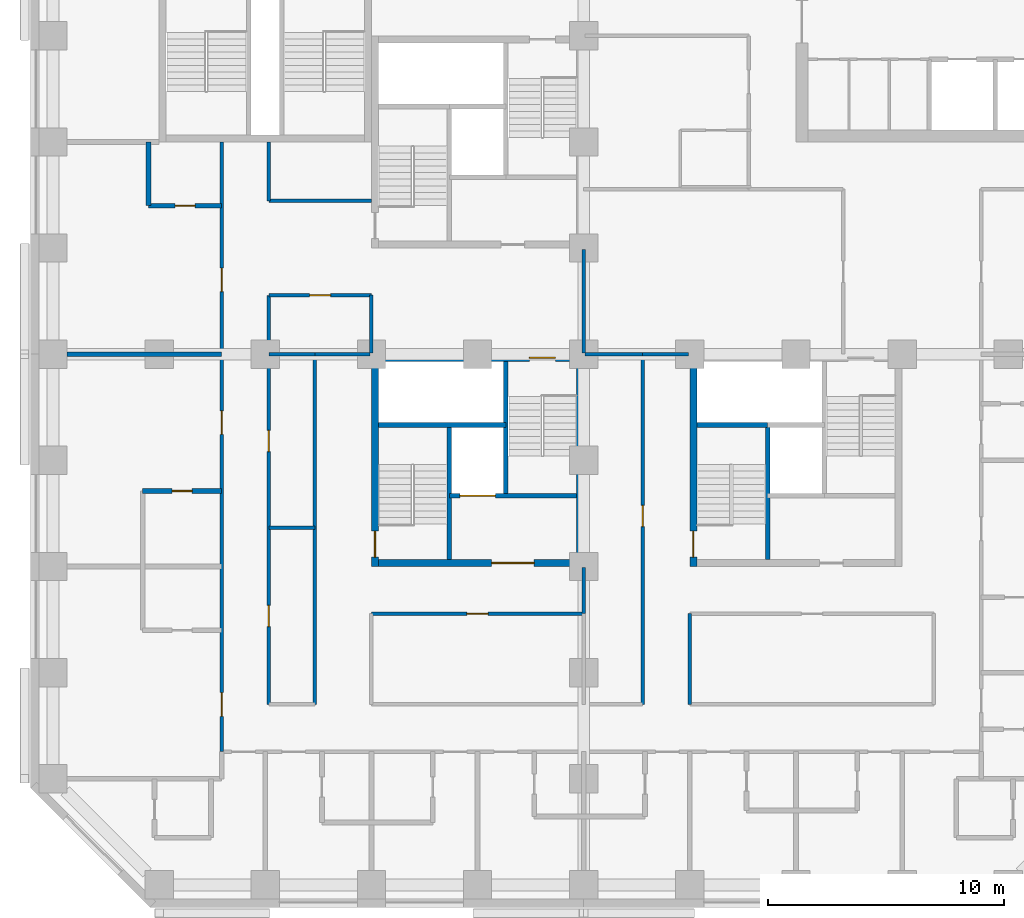
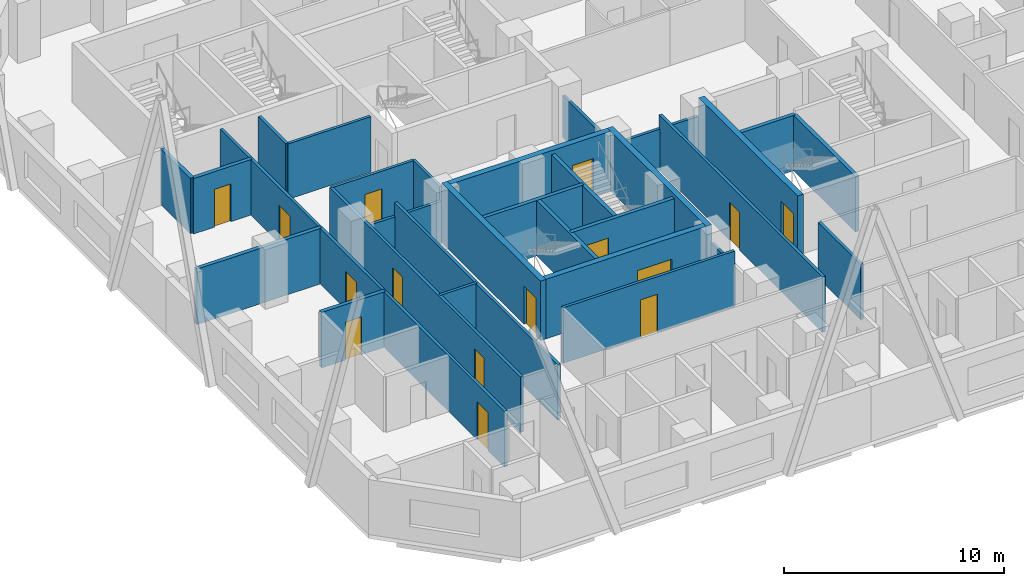
# One storey, part 4 of 13: 32 walls, 15 doors, 15 openings.
"""IFC4 building model written with IfcOpenShell, lengths in metres."""

from ifc_helpers import new_model, si_unit, direction, frame, frame_2d, origin, place, context, subcontext, project, spatial, rectangle, extrude, material, layer, layer_set, type_object, element, fill, save


model = new_model("IFC4")

# Units and contexts
model_context = context("Model", 3, precision=1e-05, world=origin(), true_north=direction((0.0, 1.0)))
body_context = subcontext(model_context, "Body", "Model", "MODEL_VIEW")
ifc_project = project(units=[si_unit("LENGTHUNIT", "METRE"), si_unit("AREAUNIT", "SQUARE_METRE"), si_unit("VOLUMEUNIT", "CUBIC_METRE"), si_unit("PLANEANGLEUNIT", "RADIAN"), si_unit("MASSUNIT", "GRAM", prefix="KILO")], contexts=[model_context])

# Site, building, storey
site_placement = place(None, origin())
site = spatial("IfcSite", under=ifc_project, at=site_placement, CompositionType="ELEMENT")
building_placement = place(site_placement, origin())
building = spatial("IfcBuilding", under=site, at=building_placement, Name="Quoin Convention Tower", CompositionType="ELEMENT")
storey_placement = place(building_placement, frame((0.0, 0.0, 52.800048828125)))
storey = spatial("IfcBuildingStorey", under=building, at=storey_placement, Name="L13", CompositionType="ELEMENT", Elevation=52.800048828125)

# Walls
ifc_material_1 = material(Name="Concrete C50", Category="concrete")
ifc_layer_1 = layer(ifc_material_1, 0.199951171875)
ifc_layer_set_1 = layer_set([ifc_layer_1], Name="Concrete C50")
wall_type_1 = type_object("IfcWallType", Name="Core shaft wall", PredefinedType="SOLIDWALL", material=ifc_layer_set_1)
wall_1_placement = place(storey_placement, frame((40.800048828125, 37.5, 0.0), z_axis=(0.0, 0.0, 1.0), x_axis=(1.0, 0.0, 0.0)))
element("IfcWall", 1, at=wall_1_placement, inside=storey, type_object=wall_type_1, Name="cr-P3-L13-h6000_300", PredefinedType="SOLIDWALL", context=body_context, shape_type="SweptSolid", body=[
    extrude(rectangle(XDim=3.0, YDim=0.199951171875, at=frame_2d((1.5, 0.0))), origin(), (0.0, 0.0, 1.0), 3.079833984375),
])
wall_2_placement = place(storey_placement, frame((43.800048828125, 31.800048828125, 0.0), z_axis=(0.0, 0.0, 1.0), x_axis=(0.0, 1.0, 0.0)))
element("IfcWall", 2, at=wall_2_placement, inside=storey, type_object=wall_type_1, Name="cr-P3-L13-v3300_300", PredefinedType="SOLIDWALL", context=body_context, shape_type="SweptSolid", body=[
    extrude(rectangle(XDim=5.699951171875, YDim=0.199951171875, at=frame_2d((2.85009765625, 0.0))), origin(), (0.0, 0.0, 1.0), 3.079833984375),
])

# Wall, opening, door
wall_3_placement = place(storey_placement, frame((30.300048828125, 34.5, 0.0), z_axis=(0.0, 0.0, 1.0), x_axis=(1.0, 0.0, 0.0)))
wall_3 = element("IfcWall", 3, at=wall_3_placement, inside=storey, type_object=wall_type_1, Name="cr-P4-L13-h3000_3300", PredefinedType="SOLIDWALL", context=body_context, shape_type="SweptSolid", body=[
    extrude(rectangle(XDim=5.39990234375, YDim=0.199951171875, at=frame_2d((2.699951171875, 0.0))), origin(), (0.0, 0.0, 1.0), 3.079833984375),
])
opening_1_placement = place(wall_3_placement, frame((0.449951171875, 0.0, 0.0)))
opening_1 = element("IfcOpeningElement", 4, at=opening_1_placement, cuts=wall_3, Name="Opening LDGL1", PredefinedType="OPENING", context=body_context, shape_type="SweptSolid", body=[
    extrude(rectangle(XDim=1.5, YDim=2.10009765625, at=frame_2d((0.75, 1.050048828125))), frame((0.0, 0.10986328125, 0.0), z_axis=(0.0, -1.0, 0.0), x_axis=(1.0, 0.0, 0.0)), (0.0, 0.0, 1.0), 0.219970703125),
])
ifc_material_2 = material(Name="Steel door leaf", Category="steel")
door_type_1 = type_object("IfcDoorType", Name="Lift landing door 1500 x 2100", OperationType="DOUBLE_DOOR_SLIDING", PredefinedType="DOOR", material=ifc_material_2)
door_1_placement = place(opening_1_placement, origin())
door_1 = element("IfcDoor", 5, at=door_1_placement, inside=storey, type_object=door_type_1, Name="cd-P4-L13-CEN-R2-LDGL1", OperationType="DOUBLE_DOOR_SLIDING", OverallHeight=2.10009765625, OverallWidth=1.5, PredefinedType="DOOR", context=body_context, shape_type="SweptSolid", body=[
    extrude(rectangle(XDim=1.5, YDim=2.10009765625, at=frame_2d((0.75, 1.050048828125))), frame((0.0, 0.02490234375, 0.0), z_axis=(0.0, -1.0, 0.0), x_axis=(1.0, 0.0, 0.0)), (0.0, 0.0, 1.0), 0.050048828125),
])
fill(opening_1, door_1)

# Walls
wall_4_placement = place(storey_placement, frame((27.300048828125, 37.5, 0.0), z_axis=(0.0, 0.0, 1.0), x_axis=(1.0, 0.0, 0.0)))
element("IfcWall", 6, at=wall_4_placement, inside=storey, type_object=wall_type_1, Name="cr-P4-L13-h6000_300", PredefinedType="SOLIDWALL", context=body_context, shape_type="SweptSolid", body=[
    extrude(rectangle(XDim=5.39990234375, YDim=0.199951171875, at=frame_2d((2.699951171875, 0.0))), origin(), (0.0, 0.0, 1.0), 3.079833984375),
])
for number, where, z_axis, x_axis, name in (
    (7, (30.300048828125, 31.800048828125, 0.0), (0.0, 0.0, 1.0), (0.0, 1.0, 0.0), "cr-P4-L13-v3300_300"),
    (8, (32.699951171875, 34.5, 0.0), (0.0, 0.0, 1.0), (0.0, 1.0, 0.0), "cr-P4-L13-v5700_3000"),
):
    element("IfcWall", number, at=place(storey_placement, frame(where, z_axis=z_axis, x_axis=x_axis)), inside=storey, type_object=wall_type_1, Name=name, PredefinedType="SOLIDWALL", context=body_context, shape_type="SweptSolid", body=[
        extrude(rectangle(XDim=5.699951171875, YDim=0.199951171875, at=frame_2d((2.85009765625, 0.0))), origin(), (0.0, 0.0, 1.0), 3.079833984375),
    ])

# Wall, opening, door
ifc_material_3 = material(Name="Concrete C80", Category="concrete")
ifc_layer_2 = layer(ifc_material_3, 0.300048828125)
ifc_layer_set_2 = layer_set([ifc_layer_2], Name="Concrete C80")
wall_type_2 = type_object("IfcWallType", Name="RC CORE WALL 300 C80", PredefinedType="SHEAR", material=ifc_layer_set_2)
wall_5_placement = place(storey_placement, frame((40.64990234375, 31.5, 0.0), z_axis=(0.0, 0.0, 1.0), x_axis=(0.0, 1.0, 0.0)))
wall_5 = element("IfcWall", 9, at=wall_5_placement, inside=storey, type_object=wall_type_2, Name="cwl-P3-L13-W", PredefinedType="SHEAR", context=body_context, shape_type="SweptSolid", body=[
    extrude(rectangle(XDim=9.0, YDim=0.300048828125, at=frame_2d((4.5, 0.0))), origin(), (0.0, 0.0, 1.0), 3.300048828125),
])
opening_2_placement = place(wall_5_placement, frame((0.39990234375, 0.0, 0.0)))
opening_2 = element("IfcOpeningElement", 10, at=opening_2_placement, cuts=wall_5, Name="Opening SD5", PredefinedType="OPENING", context=body_context, shape_type="SweptSolid", body=[
    extrude(rectangle(XDim=1.10009765625, YDim=2.10009765625, at=frame_2d((0.550048828125, 1.050048828125))), frame((0.0, 0.159912109375, 0.0), z_axis=(0.0, -1.0, 0.0), x_axis=(1.0, 0.0, 0.0)), (0.0, 0.0, 1.0), 0.320068359375),
])
door_type_2 = type_object("IfcDoorType", Name="Stair door 1100 x 2100", OperationType="SINGLE_SWING_RIGHT", PredefinedType="DOOR", material=ifc_material_2)
door_2_placement = place(opening_2_placement, frame((1.10009765625, 0.0, 0.0), z_axis=(0.0, 0.0, 1.0), x_axis=(-1.0, 0.0, 0.0)))
door_2 = element("IfcDoor", 11, at=door_2_placement, inside=storey, type_object=door_type_2, Name="cd-P3-L13-SA-W", OperationType="SINGLE_SWING_RIGHT", OverallHeight=2.10009765625, OverallWidth=1.10009765625, PredefinedType="DOOR", context=body_context, shape_type="SweptSolid", body=[
    extrude(rectangle(XDim=1.10009765625, YDim=2.10009765625, at=frame_2d((0.550048828125, 1.050048828125))), frame((0.0, 0.02490234375, 0.0), z_axis=(0.0, -1.0, 0.0), x_axis=(1.0, 0.0, 0.0)), (0.0, 0.0, 1.0), 0.050048828125),
])
fill(opening_2, door_2)

wall_6_placement = place(storey_placement, frame((27.300048828125, 31.64990234375, 0.0), z_axis=(0.0, 0.0, 1.0), x_axis=(1.0, 0.0, 0.0)))
wall_6 = element("IfcWall", 12, at=wall_6_placement, inside=storey, type_object=wall_type_2, Name="cwl-P4-L13-S", PredefinedType="SHEAR", context=body_context, shape_type="SweptSolid", body=[
    extrude(rectangle(XDim=8.39990234375, YDim=0.300048828125, at=frame_2d((4.199951171875, 0.0))), origin(), (0.0, 0.0, 1.0), 3.300048828125),
])
opening_3_placement = place(wall_6_placement, frame((4.800048828125, 0.0, 0.0)))
opening_3 = element("IfcOpeningElement", 13, at=opening_3_placement, cuts=wall_6, Name="Opening DCV5-53", PredefinedType="OPENING", context=body_context, shape_type="SweptSolid", body=[
    extrude(rectangle(XDim=1.800048828125, YDim=2.10009765625, at=frame_2d((0.89990234375, 1.050048828125))), frame((0.0, 0.159912109375, 0.0), z_axis=(0.0, -1.0, 0.0), x_axis=(1.0, 0.0, 0.0)), (0.0, 0.0, 1.0), 0.320068359375),
])
door_type_3 = type_object("IfcDoorType", Name="Goods lobby door 1800 x 2100", OperationType="SINGLE_SWING_LEFT", PredefinedType="DOOR", material=ifc_material_2)
door_3_placement = place(opening_3_placement, origin())
door_3 = element("IfcDoor", 14, at=door_3_placement, inside=storey, type_object=door_type_3, Name="cd-P4-L13-R2-S", OperationType="SINGLE_SWING_LEFT", OverallHeight=2.10009765625, OverallWidth=1.800048828125, PredefinedType="DOOR", context=body_context, shape_type="SweptSolid", body=[
    extrude(rectangle(XDim=1.800048828125, YDim=2.10009765625, at=frame_2d((0.89990234375, 1.050048828125))), frame((0.0, 0.02490234375, 0.0), z_axis=(0.0, -1.0, 0.0), x_axis=(1.0, 0.0, 0.0)), (0.0, 0.0, 1.0), 0.050048828125),
])
fill(opening_3, door_3)

wall_7_placement = place(storey_placement, frame((27.300048828125, 40.35009765625, 0.0), z_axis=(0.0, 0.0, 1.0), x_axis=(1.0, 0.0, 0.0)))
wall_7 = element("IfcWall", 15, at=wall_7_placement, inside=storey, type_object=wall_type_2, Name="cwl-P4-L13-N", PredefinedType="SHEAR", context=body_context, shape_type="SweptSolid", body=[
    extrude(rectangle(XDim=8.39990234375, YDim=0.300048828125, at=frame_2d((4.199951171875, 0.0))), origin(), (0.0, 0.0, 1.0), 3.300048828125),
])
opening_4_placement = place(wall_7_placement, frame((6.39990234375, 0.0, 0.0)))
opening_4 = element("IfcOpeningElement", 16, at=opening_4_placement, cuts=wall_7, Name="Opening SD8", PredefinedType="OPENING", context=body_context, shape_type="SweptSolid", body=[
    extrude(rectangle(XDim=1.10009765625, YDim=2.10009765625, at=frame_2d((0.550048828125, 1.050048828125))), frame((0.0, 0.159912109375, 0.0), z_axis=(0.0, -1.0, 0.0), x_axis=(1.0, 0.0, 0.0)), (0.0, 0.0, 1.0), 0.320068359375),
])
door_4_placement = place(opening_4_placement, frame((1.10009765625, 0.0, 0.0), z_axis=(0.0, 0.0, 1.0), x_axis=(-1.0, 0.0, 0.0)))
door_4 = element("IfcDoor", 17, at=door_4_placement, inside=storey, type_object=door_type_2, Name="cd-P4-L13-SB-N", OperationType="SINGLE_SWING_LEFT", OverallHeight=2.10009765625, OverallWidth=1.10009765625, PredefinedType="DOOR", context=body_context, shape_type="SweptSolid", body=[
    extrude(rectangle(XDim=1.10009765625, YDim=2.10009765625, at=frame_2d((0.550048828125, 1.050048828125))), frame((0.0, 0.02490234375, 0.0), z_axis=(0.0, -1.0, 0.0), x_axis=(1.0, 0.0, 0.0)), (0.0, 0.0, 1.0), 0.050048828125),
])
fill(opening_4, door_4)

wall_8_placement = place(storey_placement, frame((27.14990234375, 31.5, 0.0), z_axis=(0.0, 0.0, 1.0), x_axis=(0.0, 1.0, 0.0)))
wall_8 = element("IfcWall", 18, at=wall_8_placement, inside=storey, type_object=wall_type_2, Name="cwl-P4-L13-W", PredefinedType="SHEAR", context=body_context, shape_type="SweptSolid", body=[
    extrude(rectangle(XDim=9.0, YDim=0.300048828125, at=frame_2d((4.5, 0.0))), origin(), (0.0, 0.0, 1.0), 3.300048828125),
])
opening_5_placement = place(wall_8_placement, frame((0.39990234375, 0.0, 0.0)))
opening_5 = element("IfcOpeningElement", 19, at=opening_5_placement, cuts=wall_8, Name="Opening SD7", PredefinedType="OPENING", context=body_context, shape_type="SweptSolid", body=[
    extrude(rectangle(XDim=1.10009765625, YDim=2.10009765625, at=frame_2d((0.550048828125, 1.050048828125))), frame((0.0, 0.159912109375, 0.0), z_axis=(0.0, -1.0, 0.0), x_axis=(1.0, 0.0, 0.0)), (0.0, 0.0, 1.0), 0.320068359375),
])
door_5_placement = place(opening_5_placement, frame((1.10009765625, 0.0, 0.0), z_axis=(0.0, 0.0, 1.0), x_axis=(-1.0, 0.0, 0.0)))
door_5 = element("IfcDoor", 20, at=door_5_placement, inside=storey, type_object=door_type_2, Name="cd-P4-L13-SA-W", OperationType="SINGLE_SWING_RIGHT", OverallHeight=2.10009765625, OverallWidth=1.10009765625, PredefinedType="DOOR", context=body_context, shape_type="SweptSolid", body=[
    extrude(rectangle(XDim=1.10009765625, YDim=2.10009765625, at=frame_2d((0.550048828125, 1.050048828125))), frame((0.0, 0.02490234375, 0.0), z_axis=(0.0, -1.0, 0.0), x_axis=(1.0, 0.0, 0.0)), (0.0, 0.0, 1.0), 0.050048828125),
])
fill(opening_5, door_5)

# Wall
wall_9_placement = place(storey_placement, frame((35.85009765625, 31.5, 0.0), z_axis=(0.0, 0.0, 1.0), x_axis=(0.0, 1.0, 0.0)))
element("IfcWall", 21, at=wall_9_placement, inside=storey, type_object=wall_type_2, Name="cwl-P4-L13-E", PredefinedType="SHEAR", context=body_context, shape_type="SweptSolid", body=[
    extrude(rectangle(XDim=9.0, YDim=0.300048828125, at=frame_2d((4.5, 0.0))), origin(), (0.0, 0.0, 1.0), 3.300048828125),
])

# Wall, opening, door
ifc_layer_3 = layer(ifc_material_1, 0.199951171875)
ifc_layer_set_3 = layer_set([ifc_layer_3], Name="Concrete C50")
wall_type_3 = type_object("IfcWallType", Name="RC party wall", PredefinedType="SOLIDWALL", material=ifc_layer_set_3)
wall_10_placement = place(storey_placement, frame((17.300048828125, 34.699951171875, 0.0), z_axis=(0.0, 0.0, 1.0), x_axis=(1.0, 0.0, 0.0)))
wall_10 = element("IfcWall", 22, at=wall_10_placement, inside=storey, type_object=wall_type_3, Name="pw-L13-071", PredefinedType="SOLIDWALL", context=body_context, shape_type="SweptSolid", body=[
    extrude(rectangle(XDim=3.349853515625, YDim=0.199951171875, at=frame_2d((1.6748046875, 0.0))), origin(), (0.0, 0.0, 1.0), 3.079833984375),
])
opening_6_placement = place(wall_10_placement, frame((1.25, 0.0, 0.0)))
opening_6 = element("IfcOpeningElement", 23, at=opening_6_placement, cuts=wall_10, Name="Opening DHOTEL-B-53", PredefinedType="OPENING", context=body_context, shape_type="SweptSolid", body=[
    extrude(rectangle(XDim=0.85009765625, YDim=2.10009765625, at=frame_2d((0.425048828125, 1.050048828125))), frame((0.0, 0.10986328125, 0.0), z_axis=(0.0, -1.0, 0.0), x_axis=(1.0, 0.0, 0.0)), (0.0, 0.0, 1.0), 0.219970703125),
])
door_type_4 = type_object("IfcDoorType", Name="Bathroom door", OperationType="SINGLE_SWING_LEFT", PredefinedType="DOOR", material=ifc_material_2)
door_6_placement = place(opening_6_placement, origin())
door_6 = element("IfcDoor", 24, at=door_6_placement, inside=storey, type_object=door_type_4, Name="dr-L13-016", OperationType="SINGLE_SWING_RIGHT", OverallHeight=2.10009765625, OverallWidth=0.85009765625, PredefinedType="DOOR", context=body_context, shape_type="SweptSolid", body=[
    extrude(rectangle(XDim=0.85009765625, YDim=2.10009765625, at=frame_2d((0.425048828125, 1.050048828125))), frame((0.0, 0.02490234375, 0.0), z_axis=(0.0, -1.0, 0.0), x_axis=(1.0, 0.0, 0.0)), (0.0, 0.0, 1.0), 0.050048828125),
])
fill(opening_6, door_6)

# Wall
wall_11_placement = place(storey_placement, frame((14.10009765625, 40.5, 0.0), z_axis=(0.0, 0.0, 1.0), x_axis=(1.0, 0.0, 0.0)))
element("IfcWall", 25, at=wall_11_placement, inside=storey, type_object=wall_type_3, Name="pw-L13-075", PredefinedType="SOLIDWALL", context=body_context, shape_type="SweptSolid", body=[
    extrude(rectangle(XDim=6.5498046875, YDim=0.199951171875, at=frame_2d((3.27490234375, 0.0))), origin(), (0.0, 0.0, 1.0), 3.079833984375),
])

# Wall, opening, door
wall_12_placement = place(storey_placement, frame((17.550048828125, 46.800048828125, 0.0), z_axis=(0.0, 0.0, 1.0), x_axis=(1.0, 0.0, 0.0)))
wall_12 = element("IfcWall", 26, at=wall_12_placement, inside=storey, type_object=wall_type_3, Name="pw-L13-085", PredefinedType="SOLIDWALL", context=body_context, shape_type="SweptSolid", body=[
    extrude(rectangle(XDim=3.099853515625, YDim=0.199951171875, at=frame_2d((1.5498046875, 0.0))), origin(), (0.0, 0.0, 1.0), 3.079833984375),
])
opening_7_placement = place(wall_12_placement, frame((1.125, 0.0, 0.0)))
opening_7 = element("IfcOpeningElement", 27, at=opening_7_placement, cuts=wall_12, Name="Opening DHOTEL-B-57", PredefinedType="OPENING", context=body_context, shape_type="SweptSolid", body=[
    extrude(rectangle(XDim=0.85009765625, YDim=2.10009765625, at=frame_2d((0.425048828125, 1.050048828125))), frame((0.0, 0.10986328125, 0.0), z_axis=(0.0, -1.0, 0.0), x_axis=(1.0, 0.0, 0.0)), (0.0, 0.0, 1.0), 0.219970703125),
])
door_7_placement = place(opening_7_placement, frame((0.85009765625, 0.0, 0.0), z_axis=(0.0, 0.0, 1.0), x_axis=(-1.0, 0.0, 0.0)))
door_7 = element("IfcDoor", 28, at=door_7_placement, inside=storey, type_object=door_type_4, Name="dr-L13-018", OperationType="SINGLE_SWING_LEFT", OverallHeight=2.10009765625, OverallWidth=0.85009765625, PredefinedType="DOOR", context=body_context, shape_type="SweptSolid", body=[
    extrude(rectangle(XDim=0.85009765625, YDim=2.10009765625, at=frame_2d((0.425048828125, 1.050048828125))), frame((0.0, 0.02490234375, 0.0), z_axis=(0.0, -1.0, 0.0), x_axis=(1.0, 0.0, 0.0)), (0.0, 0.0, 1.0), 0.050048828125),
])
fill(opening_7, door_7)

# Wall
wall_13_placement = place(storey_placement, frame((17.550048828125, 46.800048828125, 0.0), z_axis=(0.0, 0.0, 1.0), x_axis=(0.0, 1.0, 0.0)))
element("IfcWall", 29, at=wall_13_placement, inside=storey, type_object=wall_type_3, Name="pw-L13-086", PredefinedType="SOLIDWALL", context=body_context, shape_type="SweptSolid", body=[
    extrude(rectangle(XDim=2.699951171875, YDim=0.199951171875, at=frame_2d((1.35009765625, 0.0))), origin(), (0.0, 0.0, 1.0), 3.079833984375),
])

# Wall, openings, doors
ifc_material_4 = material(Name="Plasterboard")
ifc_layer_4 = layer(ifc_material_4, 0.012451171875, Name="Finish")
ifc_material_5 = material(Name="Steel stud framing", Category="steel")
ifc_layer_5 = layer(ifc_material_5, 0.125, Name="Structure")
ifc_layer_6 = layer(ifc_material_4, 0.012451171875, Name="Finish")
ifc_layer_set_4 = layer_set([ifc_layer_4, ifc_layer_5, ifc_layer_6], Name="Steel stud framing")
wall_type_4 = type_object("IfcWallType", Name="corridor partition", PredefinedType="PARTITIONING", material=ifc_layer_set_4)
wall_14_placement = place(storey_placement, frame((20.64990234375, 23.64990234375, 0.0), z_axis=(0.0, 0.0, 1.0), x_axis=(0.0, 1.0, 0.0)))
wall_14 = element("IfcWall", 30, at=wall_14_placement, inside=storey, type_object=wall_type_4, Name="pw-L13-006", PredefinedType="PARTITIONING", context=body_context, shape_type="SweptSolid", body=[
    extrude(rectangle(XDim=25.85009765625, YDim=0.14990234375, at=frame_2d((12.925048828125, 0.0))), origin(), (0.0, 0.0, 1.0), 3.079833984375),
])
opening_8_placement = place(wall_14_placement, frame((1.5, 0.0, 0.0)))
opening_8 = element("IfcOpeningElement", 31, at=opening_8_placement, cuts=wall_14, Name="Opening DHOTEL-B-09", PredefinedType="OPENING", context=body_context, shape_type="SweptSolid", body=[
    extrude(rectangle(XDim=1.0, YDim=2.10009765625, at=frame_2d((0.5, 1.050048828125))), frame((0.0, 0.0849609375, 0.0), z_axis=(0.0, -1.0, 0.0), x_axis=(1.0, 0.0, 0.0)), (0.0, 0.0, 1.0), 0.169921875),
])
opening_9_placement = place(wall_14_placement, frame((13.449951171875, 0.0, 0.0)))
opening_9 = element("IfcOpeningElement", 32, at=opening_9_placement, cuts=wall_14, Name="Opening DHOTEL-B-10", PredefinedType="OPENING", context=body_context, shape_type="SweptSolid", body=[
    extrude(rectangle(XDim=1.0, YDim=2.10009765625, at=frame_2d((0.5, 1.050048828125))), frame((0.0, 0.0849609375, 0.0), z_axis=(0.0, -1.0, 0.0), x_axis=(1.0, 0.0, 0.0)), (0.0, 0.0, 1.0), 0.169921875),
])
opening_10_placement = place(wall_14_placement, frame((19.5, 0.0, 0.0)))
opening_10 = element("IfcOpeningElement", 33, at=opening_10_placement, cuts=wall_14, Name="Opening DHOTEL-B-11", PredefinedType="OPENING", context=body_context, shape_type="SweptSolid", body=[
    extrude(rectangle(XDim=1.0, YDim=2.10009765625, at=frame_2d((0.5, 1.050048828125))), frame((0.0, 0.0849609375, 0.0), z_axis=(0.0, -1.0, 0.0), x_axis=(1.0, 0.0, 0.0)), (0.0, 0.0, 1.0), 0.169921875),
])
door_type_5 = type_object("IfcDoorType", Name="Hotel room door", OperationType="SINGLE_SWING_LEFT", PredefinedType="DOOR", material=ifc_material_2)
door_8_placement = place(opening_8_placement, origin())
door_8 = element("IfcDoor", 34, at=door_8_placement, inside=storey, type_object=door_type_5, Name="dr-L13-013", OperationType="SINGLE_SWING_LEFT", OverallHeight=2.10009765625, OverallWidth=1.0, PredefinedType="DOOR", context=body_context, shape_type="SweptSolid", body=[
    extrude(rectangle(XDim=1.0, YDim=2.10009765625, at=frame_2d((0.5, 1.050048828125))), frame((0.0, 0.02490234375, 0.0), z_axis=(0.0, -1.0, 0.0), x_axis=(1.0, 0.0, 0.0)), (0.0, 0.0, 1.0), 0.050048828125),
])
fill(opening_8, door_8)
door_9_placement = place(opening_9_placement, origin())
door_9 = element("IfcDoor", 35, at=door_9_placement, inside=storey, type_object=door_type_5, Name="dr-L13-015", OperationType="SINGLE_SWING_RIGHT", OverallHeight=2.10009765625, OverallWidth=1.0, PredefinedType="DOOR", context=body_context, shape_type="SweptSolid", body=[
    extrude(rectangle(XDim=1.0, YDim=2.10009765625, at=frame_2d((0.5, 1.050048828125))), frame((0.0, 0.02490234375, 0.0), z_axis=(0.0, -1.0, 0.0), x_axis=(1.0, 0.0, 0.0)), (0.0, 0.0, 1.0), 0.050048828125),
])
fill(opening_9, door_9)
door_10_placement = place(opening_10_placement, origin())
door_10 = element("IfcDoor", 36, at=door_10_placement, inside=storey, type_object=door_type_5, Name="dr-L13-017", OperationType="SINGLE_SWING_RIGHT", OverallHeight=2.10009765625, OverallWidth=1.0, PredefinedType="DOOR", context=body_context, shape_type="SweptSolid", body=[
    extrude(rectangle(XDim=1.0, YDim=2.10009765625, at=frame_2d((0.5, 1.050048828125))), frame((0.0, 0.02490234375, 0.0), z_axis=(0.0, -1.0, 0.0), x_axis=(1.0, 0.0, 0.0)), (0.0, 0.0, 1.0), 0.050048828125),
])
fill(opening_10, door_10)

wall_15_placement = place(storey_placement, frame((22.64990234375, 25.64990234375, 0.0), z_axis=(0.0, 0.0, 1.0), x_axis=(0.0, 1.0, 0.0)))
wall_15 = element("IfcWall", 37, at=wall_15_placement, inside=storey, type_object=wall_type_4, Name="pw-L13-009", PredefinedType="PARTITIONING", context=body_context, shape_type="SweptSolid", body=[
    extrude(rectangle(XDim=17.35009765625, YDim=0.14990234375, at=frame_2d((8.675048828125, 0.0))), origin(), (0.0, 0.0, 1.0), 3.079833984375),
])
opening_11_placement = place(wall_15_placement, frame((3.300048828125, 0.0, 0.0)))
opening_11 = element("IfcOpeningElement", 38, at=opening_11_placement, cuts=wall_15, Name="Opening DHOTEL-B-16", PredefinedType="OPENING", context=body_context, shape_type="SweptSolid", body=[
    extrude(rectangle(XDim=0.89990234375, YDim=2.10009765625, at=frame_2d((0.449951171875, 1.050048828125))), frame((0.0, 0.0849609375, 0.0), z_axis=(0.0, -1.0, 0.0), x_axis=(1.0, 0.0, 0.0)), (0.0, 0.0, 1.0), 0.169921875),
])
opening_12_placement = place(wall_15_placement, frame((10.72509765625, 0.0, 0.0)))
opening_12 = element("IfcOpeningElement", 39, at=opening_12_placement, cuts=wall_15, Name="Opening DHOTEL-B-17", PredefinedType="OPENING", context=body_context, shape_type="SweptSolid", body=[
    extrude(rectangle(XDim=0.89990234375, YDim=2.10009765625, at=frame_2d((0.449951171875, 1.050048828125))), frame((0.0, 0.0849609375, 0.0), z_axis=(0.0, -1.0, 0.0), x_axis=(1.0, 0.0, 0.0)), (0.0, 0.0, 1.0), 0.169921875),
])
door_type_6 = type_object("IfcDoorType", Name="Service room door", OperationType="SINGLE_SWING_LEFT", PredefinedType="DOOR", material=ifc_material_2)
door_11_placement = place(opening_11_placement, frame((0.89990234375, 0.0, 0.0), z_axis=(0.0, 0.0, 1.0), x_axis=(-1.0, 0.0, 0.0)))
door_11 = element("IfcDoor", 40, at=door_11_placement, inside=storey, type_object=door_type_6, Name="dr-L13-069", OperationType="SINGLE_SWING_LEFT", OverallHeight=2.10009765625, OverallWidth=0.89990234375, PredefinedType="DOOR", context=body_context, shape_type="SweptSolid", body=[
    extrude(rectangle(XDim=0.89990234375, YDim=2.10009765625, at=frame_2d((0.449951171875, 1.050048828125))), frame((0.0, 0.02490234375, 0.0), z_axis=(0.0, -1.0, 0.0), x_axis=(1.0, 0.0, 0.0)), (0.0, 0.0, 1.0), 0.050048828125),
])
fill(opening_11, door_11)
door_12_placement = place(opening_12_placement, frame((0.89990234375, 0.0, 0.0), z_axis=(0.0, 0.0, 1.0), x_axis=(-1.0, 0.0, 0.0)))
door_12 = element("IfcDoor", 41, at=door_12_placement, inside=storey, type_object=door_type_6, Name="dr-L13-070", OperationType="SINGLE_SWING_LEFT", OverallHeight=2.10009765625, OverallWidth=0.89990234375, PredefinedType="DOOR", context=body_context, shape_type="SweptSolid", body=[
    extrude(rectangle(XDim=0.89990234375, YDim=2.10009765625, at=frame_2d((0.449951171875, 1.050048828125))), frame((0.0, 0.02490234375, 0.0), z_axis=(0.0, -1.0, 0.0), x_axis=(1.0, 0.0, 0.0)), (0.0, 0.0, 1.0), 0.050048828125),
])
fill(opening_12, door_12)

# Wall
wall_16_placement = place(storey_placement, frame((24.60009765625, 25.64990234375, 0.0), z_axis=(0.0, 0.0, 1.0), x_axis=(0.0, 1.0, 0.0)))
element("IfcWall", 42, at=wall_16_placement, inside=storey, type_object=wall_type_4, Name="pw-L13-010", PredefinedType="PARTITIONING", context=body_context, shape_type="SweptSolid", body=[
    extrude(rectangle(XDim=14.85009765625, YDim=0.14990234375, at=frame_2d((7.425048828125, 0.0))), origin(), (0.0, 0.0, 1.0), 3.079833984375),
])

# Wall, opening, door
wall_17_placement = place(storey_placement, frame((38.5, 25.64990234375, 0.0), z_axis=(0.0, 0.0, 1.0), x_axis=(0.0, 1.0, 0.0)))
wall_17 = element("IfcWall", 43, at=wall_17_placement, inside=storey, type_object=wall_type_4, Name="pw-L13-013", PredefinedType="PARTITIONING", context=body_context, shape_type="SweptSolid", body=[
    extrude(rectangle(XDim=14.85009765625, YDim=0.14990234375, at=frame_2d((7.425048828125, 0.0))), origin(), (0.0, 0.0, 1.0), 3.079833984375),
])
opening_13_placement = place(wall_17_placement, frame((7.5400390625, 0.0, 0.0)))
opening_13 = element("IfcOpeningElement", 44, at=opening_13_placement, cuts=wall_17, Name="Opening DHOTEL-B-18", PredefinedType="OPENING", context=body_context, shape_type="SweptSolid", body=[
    extrude(rectangle(XDim=0.89990234375, YDim=2.10009765625, at=frame_2d((0.449951171875, 1.050048828125))), frame((0.0, 0.0849609375, 0.0), z_axis=(0.0, -1.0, 0.0), x_axis=(1.0, 0.0, 0.0)), (0.0, 0.0, 1.0), 0.169921875),
])
door_type_7 = type_object("IfcDoorType", Name="Single room door", OperationType="SINGLE_SWING_RIGHT", PredefinedType="DOOR", material=ifc_material_2)
door_13_placement = place(opening_13_placement, origin())
door_13 = element("IfcDoor", 45, at=door_13_placement, inside=storey, type_object=door_type_7, Name="dr-L13-w03", OperationType="SINGLE_SWING_RIGHT", OverallHeight=2.10009765625, OverallWidth=0.89990234375, PredefinedType="DOOR", context=body_context, shape_type="SweptSolid", body=[
    extrude(rectangle(XDim=0.89990234375, YDim=2.10009765625, at=frame_2d((0.449951171875, 1.050048828125))), frame((0.0, 0.02490234375, 0.0), z_axis=(0.0, -1.0, 0.0), x_axis=(1.0, 0.0, 0.0)), (0.0, 0.0, 1.0), 0.050048828125),
])
fill(opening_13, door_13)

# Wall
wall_18_placement = place(storey_placement, frame((40.5, 25.64990234375, 0.0), z_axis=(0.0, 0.0, 1.0), x_axis=(0.0, 1.0, 0.0)))
element("IfcWall", 46, at=wall_18_placement, inside=storey, type_object=wall_type_4, Name="pw-L13-015", PredefinedType="PARTITIONING", context=body_context, shape_type="SweptSolid", body=[
    extrude(rectangle(XDim=3.85009765625, YDim=0.14990234375, at=frame_2d((1.925048828125, 0.0))), origin(), (0.0, 0.0, 1.0), 3.079833984375),
])

# Wall, opening, door
wall_19_placement = place(storey_placement, frame((27.0, 29.5, 0.0), z_axis=(0.0, 0.0, 1.0), x_axis=(1.0, 0.0, 0.0)))
wall_19 = element("IfcWall", 47, at=wall_19_placement, inside=storey, type_object=wall_type_4, Name="pw-L13-017", PredefinedType="PARTITIONING", context=body_context, shape_type="SweptSolid", body=[
    extrude(rectangle(XDim=9.0, YDim=0.14990234375, at=frame_2d((4.5, 0.0))), origin(), (0.0, 0.0, 1.0), 3.079833984375),
])
opening_14_placement = place(wall_19_placement, frame((4.050048828125, 0.0, 0.0)))
opening_14 = element("IfcOpeningElement", 48, at=opening_14_placement, cuts=wall_19, Name="Opening DHOTEL-B-19", PredefinedType="OPENING", context=body_context, shape_type="SweptSolid", body=[
    extrude(rectangle(XDim=0.89990234375, YDim=2.10009765625, at=frame_2d((0.449951171875, 1.050048828125))), frame((0.0, 0.0849609375, 0.0), z_axis=(0.0, -1.0, 0.0), x_axis=(1.0, 0.0, 0.0)), (0.0, 0.0, 1.0), 0.169921875),
])
door_14_placement = place(opening_14_placement, frame((0.89990234375, 0.0, 0.0), z_axis=(0.0, 0.0, 1.0), x_axis=(-1.0, 0.0, 0.0)))
door_14 = element("IfcDoor", 49, at=door_14_placement, inside=storey, type_object=door_type_7, Name="dr-L13-071", OperationType="SINGLE_SWING_LEFT", OverallHeight=2.10009765625, OverallWidth=0.89990234375, PredefinedType="DOOR", context=body_context, shape_type="SweptSolid", body=[
    extrude(rectangle(XDim=0.89990234375, YDim=2.10009765625, at=frame_2d((0.449951171875, 1.050048828125))), frame((0.0, 0.02490234375, 0.0), z_axis=(0.0, -1.0, 0.0), x_axis=(1.0, 0.0, 0.0)), (0.0, 0.0, 1.0), 0.050048828125),
])
fill(opening_14, door_14)

# Wall
wall_20_placement = place(storey_placement, frame((27.0, 40.550048828125, 0.0), z_axis=(0.0, 0.0, 1.0), x_axis=(0.0, 1.0, 0.0)))
element("IfcWall", 50, at=wall_20_placement, inside=storey, type_object=wall_type_4, Name="pw-L13-022", PredefinedType="PARTITIONING", context=body_context, shape_type="SweptSolid", body=[
    extrude(rectangle(XDim=2.449951171875, YDim=0.14990234375, at=frame_2d((1.22509765625, 0.0))), origin(), (0.0, 0.0, 1.0), 3.079833984375),
])

# Wall, opening, door
wall_21_placement = place(storey_placement, frame((22.64990234375, 43.0, 0.0), z_axis=(0.0, 0.0, 1.0), x_axis=(1.0, 0.0, 0.0)))
wall_21 = element("IfcWall", 51, at=wall_21_placement, inside=storey, type_object=wall_type_4, Name="pw-L13-025", PredefinedType="PARTITIONING", context=body_context, shape_type="SweptSolid", body=[
    extrude(rectangle(XDim=4.35009765625, YDim=0.14990234375, at=frame_2d((2.175048828125, 0.0))), origin(), (0.0, 0.0, 1.0), 3.079833984375),
])
opening_15_placement = place(wall_21_placement, frame((1.72509765625, 0.0, 0.0)))
opening_15 = element("IfcOpeningElement", 52, at=opening_15_placement, cuts=wall_21, Name="Opening DHOTEL-B-22", PredefinedType="OPENING", context=body_context, shape_type="SweptSolid", body=[
    extrude(rectangle(XDim=0.89990234375, YDim=2.10009765625, at=frame_2d((0.449951171875, 1.050048828125))), frame((0.0, 0.0849609375, 0.0), z_axis=(0.0, -1.0, 0.0), x_axis=(1.0, 0.0, 0.0)), (0.0, 0.0, 1.0), 0.169921875),
])
door_type_8 = type_object("IfcDoorType", Name="Toilet door", OperationType="SINGLE_SWING_LEFT", PredefinedType="DOOR", material=ifc_material_2)
door_15_placement = place(opening_15_placement, frame((0.89990234375, 0.0, 0.0), z_axis=(0.0, 0.0, 1.0), x_axis=(-1.0, 0.0, 0.0)))
door_15 = element("IfcDoor", 53, at=door_15_placement, inside=storey, type_object=door_type_8, Name="dr-L13-074", OperationType="SINGLE_SWING_LEFT", OverallHeight=2.10009765625, OverallWidth=0.89990234375, PredefinedType="DOOR", context=body_context, shape_type="SweptSolid", body=[
    extrude(rectangle(XDim=0.89990234375, YDim=2.10009765625, at=frame_2d((0.449951171875, 1.050048828125))), frame((0.0, 0.02490234375, 0.0), z_axis=(0.0, -1.0, 0.0), x_axis=(1.0, 0.0, 0.0)), (0.0, 0.0, 1.0), 0.050048828125),
])
fill(opening_15, door_15)

# Walls
wall_22_placement = place(storey_placement, frame((22.64990234375, 47.0, 0.0), z_axis=(0.0, 0.0, 1.0), x_axis=(1.0, 0.0, 0.0)))
element("IfcWall", 54, at=wall_22_placement, inside=storey, type_object=wall_type_4, Name="pw-L13-026", PredefinedType="PARTITIONING", context=body_context, shape_type="SweptSolid", body=[
    extrude(rectangle(XDim=4.35009765625, YDim=0.14990234375, at=frame_2d((2.175048828125, 0.0))), origin(), (0.0, 0.0, 1.0), 3.079833984375),
])
wall_23_placement = place(storey_placement, frame((22.64990234375, 47.0, 0.0), z_axis=(0.0, 0.0, 1.0), x_axis=(0.0, 1.0, 0.0)))
element("IfcWall", 55, at=wall_23_placement, inside=storey, type_object=wall_type_4, Name="pw-L13-027", PredefinedType="PARTITIONING", context=body_context, shape_type="SweptSolid", body=[
    extrude(rectangle(XDim=2.5, YDim=0.14990234375, at=frame_2d((1.25, 0.0))), origin(), (0.0, 0.0, 1.0), 3.079833984375),
])
ifc_layer_7 = layer(ifc_material_4, 0.012451171875, Name="Finish")
ifc_layer_8 = layer(ifc_material_5, 0.125, Name="Structure")
ifc_layer_9 = layer(ifc_material_4, 0.012451171875, Name="Finish")
ifc_layer_set_5 = layer_set([ifc_layer_7, ifc_layer_8, ifc_layer_9], Name="Steel stud framing")
wall_type_5 = type_object("IfcWallType", Name="corridor partition under beam 750", PredefinedType="PARTITIONING", material=ifc_layer_set_5)
wall_24_placement = place(storey_placement, frame((36.0, 29.5, 0.0), z_axis=(0.0, 0.0, 1.0), x_axis=(0.0, 1.0, 0.0)))
element("IfcWall", 56, at=wall_24_placement, inside=storey, type_object=wall_type_5, Name="pw-L13-018", PredefinedType="PARTITIONING", context=body_context, shape_type="SweptSolid", body=[
    extrude(rectangle(XDim=1.949951171875, YDim=0.14990234375, at=frame_2d((0.97509765625, 0.0))), origin(), (0.0, 0.0, 1.0), 2.329833984375),
])
wall_25_placement = place(storey_placement, frame((24.60009765625, 40.5, 0.0), z_axis=(0.0, 0.0, 1.0), x_axis=(1.0, 0.0, 0.0)))
element("IfcWall", 57, at=wall_25_placement, inside=storey, type_object=wall_type_5, Name="pw-L13-020", PredefinedType="PARTITIONING", context=body_context, shape_type="SweptSolid", body=[
    extrude(rectangle(XDim=2.349853515625, YDim=0.14990234375, at=frame_2d((1.1748046875, 0.0))), origin(), (0.0, 0.0, 1.0), 2.329833984375),
])
wall_26_placement = place(storey_placement, frame((38.5, 40.5, 0.0), z_axis=(0.0, 0.0, 1.0), x_axis=(1.0, 0.0, 0.0)))
element("IfcWall", 58, at=wall_26_placement, inside=storey, type_object=wall_type_5, Name="pw-L13-021", PredefinedType="PARTITIONING", context=body_context, shape_type="SweptSolid", body=[
    extrude(rectangle(XDim=1.949951171875, YDim=0.14990234375, at=frame_2d((0.97509765625, 0.0))), origin(), (0.0, 0.0, 1.0), 2.329833984375),
])
wall_27_placement = place(storey_placement, frame((36.0, 40.550048828125, 0.0), z_axis=(0.0, 0.0, 1.0), x_axis=(0.0, 1.0, 0.0)))
element("IfcWall", 59, at=wall_27_placement, inside=storey, type_object=wall_type_5, Name="pw-L13-023", PredefinedType="PARTITIONING", context=body_context, shape_type="SweptSolid", body=[
    extrude(rectangle(XDim=4.39990234375, YDim=0.14990234375, at=frame_2d((2.199951171875, 0.0))), origin(), (0.0, 0.0, 1.0), 2.329833984375),
])
ifc_layer_10 = layer(ifc_material_4, 0.012451171875, Name="Finish")
ifc_layer_11 = layer(ifc_material_5, 0.125, Name="Structure")
ifc_layer_12 = layer(ifc_material_4, 0.012451171875, Name="Finish")
ifc_layer_set_6 = layer_set([ifc_layer_10, ifc_layer_11, ifc_layer_12], Name="Steel stud framing")
wall_type_6 = type_object("IfcWallType", Name="room partition", PredefinedType="PARTITIONING", material=ifc_layer_set_6)
wall_28_placement = place(storey_placement, frame((22.64990234375, 33.14990234375, 0.0), z_axis=(0.0, 0.0, 1.0), x_axis=(1.0, 0.0, 0.0)))
element("IfcWall", 60, at=wall_28_placement, inside=storey, type_object=wall_type_6, Name="pw-L13-149", PredefinedType="PARTITIONING", context=body_context, shape_type="SweptSolid", body=[
    extrude(rectangle(XDim=1.9501953125, YDim=0.14990234375, at=frame_2d((0.97509765625, 0.0))), origin(), (0.0, 0.0, 1.0), 3.079833984375),
])
ifc_layer_13 = layer(ifc_material_4, 0.012451171875, Name="Finish")
ifc_layer_14 = layer(ifc_material_5, 0.125, Name="Structure")
ifc_layer_15 = layer(ifc_material_4, 0.012451171875, Name="Finish")
ifc_layer_set_7 = layer_set([ifc_layer_13, ifc_layer_14, ifc_layer_15], Name="Steel stud framing")
wall_type_7 = type_object("IfcWallType", Name="room partition under beam 750", PredefinedType="PARTITIONING", material=ifc_layer_set_7)
wall_29_placement = place(storey_placement, frame((22.64990234375, 40.5, 0.0), z_axis=(0.0, 0.0, 1.0), x_axis=(1.0, 0.0, 0.0)))
element("IfcWall", 61, at=wall_29_placement, inside=storey, type_object=wall_type_7, Name="pw-L13-150", PredefinedType="PARTITIONING", context=body_context, shape_type="SweptSolid", body=[
    extrude(rectangle(XDim=1.9501953125, YDim=0.14990234375, at=frame_2d((0.97509765625, 0.0))), origin(), (0.0, 0.0, 1.0), 2.329833984375),
])
wall_30_placement = place(storey_placement, frame((36.050048828125, 40.5, 0.0), z_axis=(0.0, 0.0, 1.0), x_axis=(1.0, 0.0, 0.0)))
element("IfcWall", 62, at=wall_30_placement, inside=storey, type_object=wall_type_7, Name="pw-L13-151", PredefinedType="PARTITIONING", context=body_context, shape_type="SweptSolid", body=[
    extrude(rectangle(XDim=2.449951171875, YDim=0.14990234375, at=frame_2d((1.22509765625, 0.0))), origin(), (0.0, 0.0, 1.0), 2.329833984375),
])

save(model, "model.ifc")
